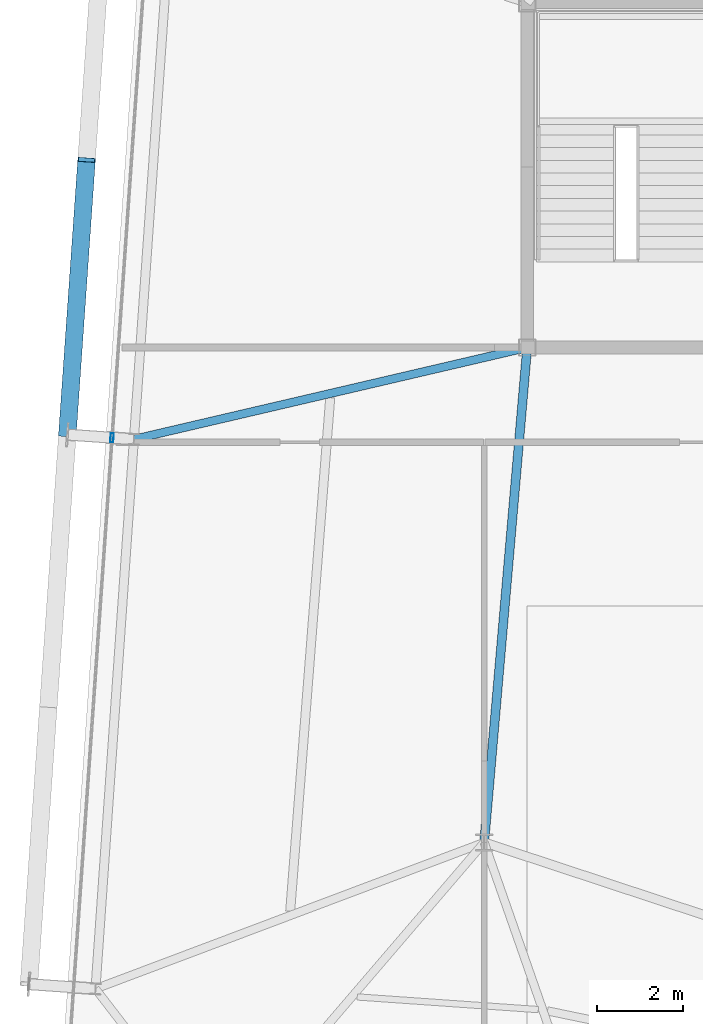
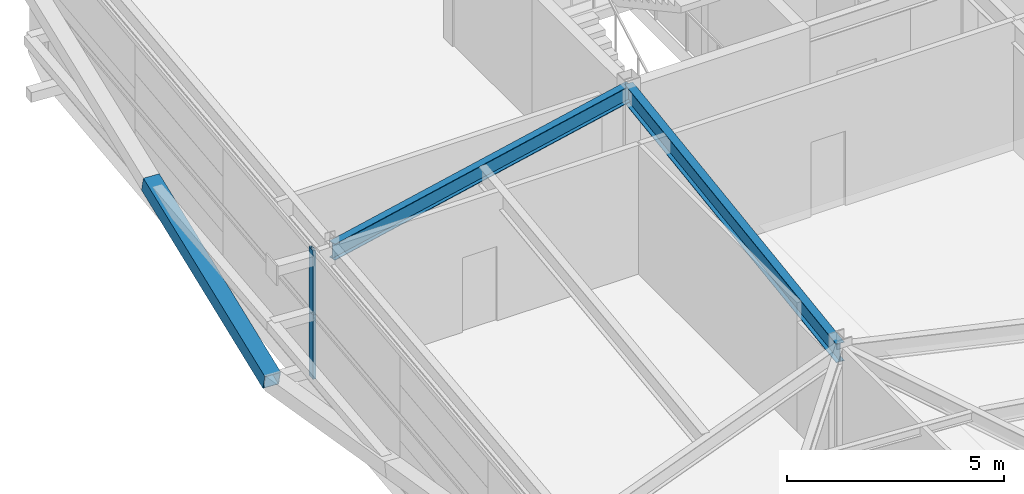
# One storey, part 11 of 36: 3 members, 2 beams, 2 elements without a shape of their own.
"""IFC4 building model written with IfcOpenShell, lengths in metres."""

import ifcopenshell
import ifcopenshell.guid

model = None  # the IFC model being written
_history = None  # IfcOwnerHistory: only IFC2X3 demands one
_inside = {}  # id of a spatial element -> (the spatial element, [elements in it])
_under = {}  # id of a project, library or spatial element -> (it, [spatial elements below it])
_declared = {}  # id of a project -> (the project, [libraries it declares])
_typed = {}  # id of a type object -> (the type object, [elements of that type])
_made_of = {}  # id of a material, layer set ... -> (it, [elements and type objects made of it])


def new_model(schema):
    """Start an empty IFC model of exactly this schema.

    Asked for "IFC4X3", IfcOpenShell would pick the latest addendum, in which some entities
    have other attributes; the version numbers below select the first issue.
    IFC2X3 requires an IfcOwnerHistory on every rooted entity: one is made here for all.
    """
    global model, _history
    if schema == "IFC4X3":
        model = ifcopenshell.file(schema_version=(4, 3, 0, 0))
    else:
        model = ifcopenshell.file(schema=schema)
    _inside.clear()
    _under.clear()
    _declared.clear()
    _typed.clear()
    _made_of.clear()
    _history = None
    if model.schema == "IFC2X3":
        org = make("IfcOrganization", Name="unknown")
        user = make(
            "IfcPersonAndOrganization",
            ThePerson=make("IfcPerson", FamilyName="unknown"),
            TheOrganization=org,
        )
        app = make(
            "IfcApplication",
            ApplicationDeveloper=org,
            Version="unknown",
            ApplicationFullName="unknown",
            ApplicationIdentifier="unknown",
        )
        _history = make(
            "IfcOwnerHistory",
            OwningUser=user,
            OwningApplication=app,
            ChangeAction="ADDED",
            CreationDate=0,
        )
    return model


def make(cls, **values):
    """One entity of the class cls with the attributes given. An attribute that is None is left unset."""
    return model.create_entity(
        cls, **{name: value for name, value in values.items() if value is not None}
    )


def rooted(cls, **values):
    """An entity with a GlobalId (a new one), such as an element, a storey or a relation."""
    return make(cls, GlobalId=ifcopenshell.guid.new(), OwnerHistory=_history, **values)


def si_unit(unit_type, name, prefix=None):
    """IfcSIUnit, for example si_unit("LENGTHUNIT", "METRE", prefix="MILLI")."""
    return make("IfcSIUnit", UnitType=unit_type, Prefix=prefix, Name=name)


def assignment(units):
    """IfcUnitAssignment: the units of a project."""
    return None if units is None else make("IfcUnitAssignment", Units=units)


def point(xyz):
    """IfcCartesianPoint."""
    return None if xyz is None else make("IfcCartesianPoint", Coordinates=xyz)


def direction(xyz):
    """IfcDirection."""
    return None if xyz is None else make("IfcDirection", DirectionRatios=xyz)


def frame(location, z_axis=None, x_axis=None):
    """IfcAxis2Placement3D, a coordinate frame: its origin and axes. An axis left out is left unset."""
    return make(
        "IfcAxis2Placement3D",
        Location=point(location),
        Axis=direction(z_axis),
        RefDirection=direction(x_axis),
    )


def frame_2d(location, x_axis=None):
    """IfcAxis2Placement2D, a coordinate frame in the plane: its origin and x axis."""
    return make(
        "IfcAxis2Placement2D", Location=point(location), RefDirection=direction(x_axis)
    )


def origin():
    """The frame at (0, 0, 0) with its axes left unset."""
    return frame((0.0, 0.0, 0.0))


def origin_2d():
    """The frame at (0, 0) in the plane with its x axis left unset."""
    return frame_2d((0.0, 0.0))


def place(relative_to, where):
    """IfcLocalPlacement: puts the frame where relative to a parent placement (None: the world)."""
    return make(
        "IfcLocalPlacement", PlacementRelTo=relative_to, RelativePlacement=where
    )


def context(
    kind, dimensions, precision=None, world=None, true_north=None, identifier=None
):
    """IfcGeometricRepresentationContext, for example the 3D "Model" context."""
    return make(
        "IfcGeometricRepresentationContext",
        ContextIdentifier=identifier,
        ContextType=kind,
        CoordinateSpaceDimension=dimensions,
        Precision=precision,
        WorldCoordinateSystem=world,
        TrueNorth=true_north,
    )


def subcontext(parent, identifier, kind, view, scale=None):
    """IfcGeometricRepresentationSubContext, for example "Body" below "Model"."""
    return make(
        "IfcGeometricRepresentationSubContext",
        ContextIdentifier=identifier,
        ContextType=kind,
        ParentContext=parent,
        TargetScale=scale,
        TargetView=view,
    )


def project(units=None, contexts=None):
    """IfcProject with its units and contexts."""
    return rooted(
        "IfcProject",
        Name="project",
        RepresentationContexts=contexts,
        UnitsInContext=assignment(units),
    )


def spatial(cls, under=None, at=None, **own):
    """A site, building, storey or space (cls), placed at a placement, below another one or the project."""
    s = rooted(cls, ObjectPlacement=at, **own)
    if under is not None:
        _under.setdefault(under.id(), (under, []))[1].append(s)
    return s


def profile(cls, at=None, kind="AREA", **sizes):
    """A parametric profile (cls). Its sizes go by their IFC names, for example OverallWidth=200.0."""
    return make(cls, ProfileType=kind, Position=at, **sizes)


def hollow_rectangle(**sizes):
    """IfcRectangleHollowProfileDef."""
    return profile("IfcRectangleHollowProfileDef", **sizes)


def i_section(**sizes):
    """IfcIShapeProfileDef."""
    return profile("IfcIShapeProfileDef", **sizes)


def extrude(swept, where, along, depth):
    """IfcExtrudedAreaSolid: the profile swept, set in the frame where, extruded along a direction by depth."""
    return make(
        "IfcExtrudedAreaSolid",
        SweptArea=swept,
        Position=where,
        ExtrudedDirection=direction(along),
        Depth=depth,
    )


def shape(context_of_items, identifier, shape_type, items):
    """IfcShapeRepresentation: the items that make up one representation, for example the "Body"."""
    return make(
        "IfcShapeRepresentation",
        ContextOfItems=context_of_items,
        RepresentationIdentifier=identifier,
        RepresentationType=shape_type,
        Items=items,
    )


def source(mapping_origin, context_of_items, identifier, shape_type, items):
    """IfcRepresentationMap: a shape defined once, which mapped items show again and again."""
    return make(
        "IfcRepresentationMap",
        MappingOrigin=mapping_origin,
        MappedRepresentation=shape(context_of_items, identifier, shape_type, items),
    )


def transform(
    local_origin,
    x_axis=None,
    y_axis=None,
    z_axis=None,
    scale=None,
    scale2=None,
    scale3=None,
    uniform=True,
):
    """IfcCartesianTransformationOperator3D, or its non-uniform kind. x_axis, y_axis, z_axis: its Axis1, 2, 3."""
    if uniform:
        return make(
            "IfcCartesianTransformationOperator3D",
            Axis1=direction(x_axis),
            Axis2=direction(y_axis),
            LocalOrigin=point(local_origin),
            Scale=scale,
            Axis3=direction(z_axis),
        )
    return make(
        "IfcCartesianTransformationOperator3DnonUniform",
        Axis1=direction(x_axis),
        Axis2=direction(y_axis),
        LocalOrigin=point(local_origin),
        Scale=scale,
        Axis3=direction(z_axis),
        Scale2=scale2,
        Scale3=scale3,
    )


def mapped(mapping_source, mapping_target):
    """IfcMappedItem: shows the shape of a source again, moved by a transform."""
    return make(
        "IfcMappedItem", MappingSource=mapping_source, MappingTarget=mapping_target
    )


def material(Name=None, Category=None):
    """IfcMaterial."""
    return make("IfcMaterial", Name=Name, Category=Category)


def layer(
    of_material, thickness, ventilated=None, Name=None, Category=None, Priority=None
):
    """IfcMaterialLayer: one layer of a wall or slab, of a material (None: an air gap)."""
    return make(
        "IfcMaterialLayer",
        Material=of_material,
        LayerThickness=thickness,
        IsVentilated=ventilated,
        Name=Name,
        Category=Category,
        Priority=Priority,
    )


def layer_set(layers, Name=None):
    """IfcMaterialLayerSet."""
    return make("IfcMaterialLayerSet", MaterialLayers=layers, LayerSetName=Name)


def material_profile(
    of_material, cross_section, Name=None, Category=None, Priority=None
):
    """IfcMaterialProfile: a cross section and its material."""
    return make(
        "IfcMaterialProfile",
        Name=Name,
        Material=of_material,
        Profile=cross_section,
        Priority=Priority,
        Category=Category,
    )


def profile_set(profiles, Name=None, composite=None):
    """IfcMaterialProfileSet."""
    return make(
        "IfcMaterialProfileSet",
        Name=Name,
        MaterialProfiles=profiles,
        CompositeProfile=composite,
    )


def made_of(thing, what):
    """Note that an element or type object is made of a material, layer set ...; save() writes the relation."""
    if what is not None:
        _made_of.setdefault(what.id(), (what, []))[1].append(thing)
    return thing


def type_object(cls, material=None, **own):
    """A type object (cls), such as IfcWallType, which elements share."""
    return made_of(rooted(cls, **own), material)


def element(
    cls,
    number,
    at=None,
    inside=None,
    cuts=None,
    type_object=None,
    material=None,
    context=None,
    identifier="Body",
    shape_type=None,
    held_by="IfcProductDefinitionShape",
    body=None,
    shapes=None,
    **own,
):
    """One element of the class cls, such as IfcWall. Its Tag is "e" and its number.

    at: its placement. inside: the storey or other place that contains it. cuts: it is an
    opening in that element (IfcRelVoidsElement). A single representation is given by context,
    identifier, shape_type and body (its items); several are given by shapes. held_by: the class
    of the entity that holds the representations. save() writes the other relations.
    """
    e = rooted(cls, Tag="e%d" % number, ObjectPlacement=at, **own)
    if body is not None:
        shapes = [shape(context, identifier, shape_type, body)]
    if shapes is not None:
        e.Representation = make(held_by, Representations=shapes)
    if inside is not None:
        _inside.setdefault(inside.id(), (inside, []))[1].append(e)
    if cuts is not None:
        rooted(
            "IfcRelVoidsElement", RelatingBuildingElement=cuts, RelatedOpeningElement=e
        )
    if type_object is not None:
        _typed.setdefault(type_object.id(), (type_object, []))[1].append(e)
    return made_of(e, material)


def aggregate(whole, parts):
    """IfcRelAggregates: a whole, such as a stair, and the parts it consists of."""
    return rooted("IfcRelAggregates", RelatingObject=whole, RelatedObjects=parts)


def save(model, path):
    """Write the relations noted so far, then the file.

    IfcRelAggregates (storeys below a building ...), IfcRelContainedInSpatialStructure (elements
    in a storey), IfcRelDefinesByType, IfcRelAssociatesMaterial and IfcRelDeclares: one each for
    every whole, place, type object, material and project.
    """
    for whole, parts in _under.values():
        aggregate(whole, parts)
    for where, things in _inside.values():
        rooted(
            "IfcRelContainedInSpatialStructure",
            RelatedElements=things,
            RelatingStructure=where,
        )
    for kind, things in _typed.values():
        rooted("IfcRelDefinesByType", RelatedObjects=things, RelatingType=kind)
    for what, things in _made_of.values():
        rooted("IfcRelAssociatesMaterial", RelatedObjects=things, RelatingMaterial=what)
    for by, libraries in _declared.values():
        rooted("IfcRelDeclares", RelatingContext=by, RelatedDefinitions=libraries)
    model.write(path)


model = new_model("IFC4")

# Units and contexts
model_context = context("Model", 3, precision=1e-05, world=origin(), true_north=direction((0.0, 1.0)))
body_context = subcontext(model_context, "Body", "Model", "MODEL_VIEW")
ifc_project = project(units=[si_unit("LENGTHUNIT", "METRE"), si_unit("AREAUNIT", "SQUARE_METRE"), si_unit("VOLUMEUNIT", "CUBIC_METRE"), si_unit("PLANEANGLEUNIT", "RADIAN"), si_unit("MASSUNIT", "GRAM", prefix="KILO")], contexts=[model_context])

# Site, building, storey
site_placement = place(None, origin())
site = spatial("IfcSite", under=ifc_project, at=site_placement, CompositionType="ELEMENT")
building_placement = place(site_placement, origin())
building = spatial("IfcBuilding", under=site, at=building_placement, Name="Taldren Reach Tower", CompositionType="ELEMENT")
storey_placement = place(building_placement, frame((0.0, 0.0, 116.550048828125)))
storey = spatial("IfcBuildingStorey", under=building, at=storey_placement, Name="L35", CompositionType="ELEMENT", Elevation=116.550048828125)

# Beams
ifc_material_1 = material(Name="Steel Gr 350 (350PLUS)", Category="steel")
ifc_material_profile_1 = material_profile(ifc_material_1, i_section(OverallWidth=0.208984375, OverallDepth=0.532958984375, WebThickness=0.01025390625, FlangeThickness=0.015625, at=origin_2d()), Name="530UB92.4")
ifc_profile_set_1 = profile_set([ifc_material_profile_1], Name="Steel Gr 350 (350PLUS)")
beam_type_1 = type_object("IfcBeamType", Name="BM-UB530A", PredefinedType="BEAM", material=ifc_profile_set_1)
shared_shape_1 = source(origin(), body_context, "Body", "SweptSolid", [
    extrude(i_section(OverallWidth=0.208984375, OverallDepth=0.532958984375, WebThickness=0.01025390625, FlangeThickness=0.015625, at=origin_2d()), origin(), (0.0, 0.0, 1.0), 11.54345703125),
])
beam_1_placement = place(storey_placement, frame((19.0, 24.0, 3.363525390625), z_axis=(-0.086629616365, -0.996240588196, 0.0), x_axis=(0.996240588196, -0.086629616365, 0.0)))
element("IfcBeam", 1, at=beam_1_placement, inside=storey, type_object=beam_type_1, Name="Core-spine girder L35-SP09", PredefinedType="BEAM", context=body_context, shape_type="MappedRepresentation", body=[
    mapped(shared_shape_1, transform((0.0, 0.0, 0.0), scale=1.0)),
])
ifc_material_profile_2 = material_profile(ifc_material_1, i_section(OverallWidth=0.19091796875, OverallDepth=0.4599609375, WebThickness=0.010009765625, FlangeThickness=0.01611328125, at=origin_2d()), Name="460UB82.1")
ifc_profile_set_2 = profile_set([ifc_material_profile_2], Name="Steel Gr 350 (350PLUS)")
beam_type_2 = type_object("IfcBeamType", Name="BM-UB460A", PredefinedType="BEAM", material=ifc_profile_set_2)
shared_shape_2 = source(origin(), body_context, "Body", "SweptSolid", [
    extrude(i_section(OverallWidth=0.19091796875, OverallDepth=0.4599609375, WebThickness=0.010009765625, FlangeThickness=0.01611328125, at=origin_2d()), origin(), (0.0, 0.0, 1.0), 9.383544921875),
])
beam_2_placement = place(storey_placement, frame((19.0, 24.0, 3.39990234375), z_axis=(-0.973856560651, -0.227163815951, 0.0), x_axis=(0.227163815951, -0.973856560651, 0.0)))
element("IfcBeam", 2, at=beam_2_placement, inside=storey, type_object=beam_type_2, Name="Primary floor girder B3-W2 L35", PredefinedType="BEAM", context=body_context, shape_type="MappedRepresentation", body=[
    mapped(shared_shape_2, transform((0.0, 0.0, 0.0), scale=1.0)),
])

# Member
ifc_material_2 = material(Name="Steel Gr 450 (C450L0)", Category="steel")
ifc_material_profile_3 = material_profile(ifc_material_2, hollow_rectangle(XDim=0.409912109375, YDim=0.409912109375, WallThickness=0.01611328125, at=origin_2d()), Name="410x410x16.0SHS")
ifc_profile_set_3 = profile_set([ifc_material_profile_3], Name="Steel Gr 450 (C450L0)")
member_type_1 = type_object("IfcMemberType", Name="MB-EXO406", PredefinedType="BRACE", material=ifc_profile_set_3)
shared_shape_3 = source(origin(), body_context, "Body", "SweptSolid", [
    extrude(hollow_rectangle(XDim=0.409912109375, YDim=0.409912109375, WallThickness=0.01611328125, at=origin_2d()), origin(), (0.0, 0.0, 1.0), 6.58837890625),
])
member_1_placement = place(storey_placement, frame((8.3154296875, 21.9765625, 0.219970703125), z_axis=(0.067775341912, 0.969013226359, 0.237528672312), x_axis=(-0.997562951496, 0.069772185021, 0.0)))
element("IfcMember", 3, at=member_1_placement, inside=storey, type_object=member_type_1, Name="Exoskeleton Diagrid Brace B3-W2 L35", PredefinedType="BRACE", context=body_context, shape_type="MappedRepresentation", body=[
    mapped(shared_shape_3, transform((0.0, 0.0, 0.0), scale=1.0)),
])

# Curtain wall, member
ifc_material_3 = material(Name="Aluminium and Low-E Glass Unitised System", Category="aluminium")
ifc_layer = layer(ifc_material_3, 0.159912109375)
ifc_layer_set = layer_set([ifc_layer], Name="Aluminium and Low-E Glass Unitised System")
curtain_wall_type = type_object("IfcCurtainWallType", Name="CW-SYS-7", PredefinedType="NOTDEFINED", material=ifc_layer_set)
curtain_wall_1_placement = place(storey_placement, origin())
curtain_wall_1 = element("IfcCurtainWall", 4, at=curtain_wall_1_placement, inside=storey, type_object=curtain_wall_type, Name="Unitised curtain wall CW-L35-W", PredefinedType="NOTDEFINED")
ifc_material_4 = material(Name="Anodised Aluminium 6063-T6", Category="aluminium")
ifc_material_profile_4 = material_profile(ifc_material_4, hollow_rectangle(XDim=0.074951171875, YDim=0.2099609375, WallThickness=0.00439453125, at=origin_2d()), Name="ALU-210x75x4.5RHS")
ifc_profile_set_4 = profile_set([ifc_material_profile_4], Name="Anodised Aluminium 6063-T6")
member_type_2 = type_object("IfcMemberType", Name="CW-MUL-200", PredefinedType="MULLION", material=ifc_profile_set_4)
shared_shape_4 = source(origin(), body_context, "Body", "SweptSolid", [
    extrude(hollow_rectangle(XDim=0.074951171875, YDim=0.2099609375, WallThickness=0.00439453125, at=origin_2d()), origin(), (0.0, 0.0, 1.0), 1.81494140625),
])
member_2_placement = place(storey_placement, frame((9.35302734375, 21.90380859375, 0.0), z_axis=(0.0, 0.0, 1.0), x_axis=(0.997564052812, -0.069756437251, 0.0)))
member_2 = element("IfcMember", 5, at=member_2_placement, type_object=member_type_2, Name="CW-7 mullion 2", PredefinedType="MULLION", context=body_context, shape_type="MappedRepresentation", body=[
    mapped(shared_shape_4, transform((0.0, 0.0, 0.0), scale=1.0)),
])
aggregate(curtain_wall_1, [member_2])

curtain_wall_2_placement = place(storey_placement, origin())
curtain_wall_2 = element("IfcCurtainWall", 6, at=curtain_wall_2_placement, inside=storey, type_object=curtain_wall_type, Name="Unitised curtain wall CW-L35-W-T2", PredefinedType="NOTDEFINED")
member_3_placement = place(storey_placement, frame((9.35302734375, 21.90380859375, 1.81494140625), z_axis=(0.0, 0.0, 1.0), x_axis=(0.997564052812, -0.069756437251, 0.0)))
member_3 = element("IfcMember", 7, at=member_3_placement, type_object=member_type_2, Name="CW-7 mullion 2", PredefinedType="MULLION", context=body_context, shape_type="MappedRepresentation", body=[
    mapped(shared_shape_4, transform((0.0, 0.0, 0.0), scale=1.0)),
])
aggregate(curtain_wall_2, [member_3])

save(model, "model.ifc")
